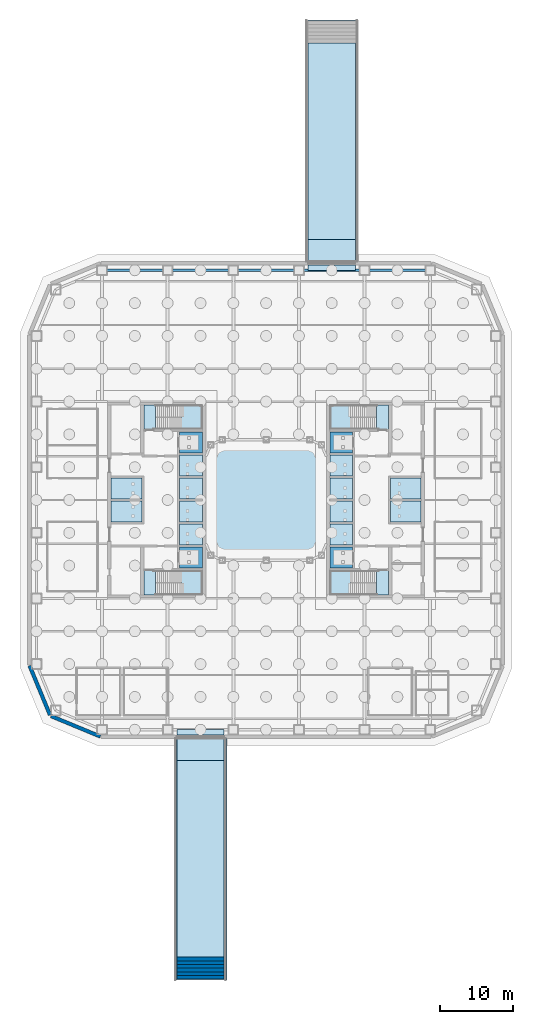
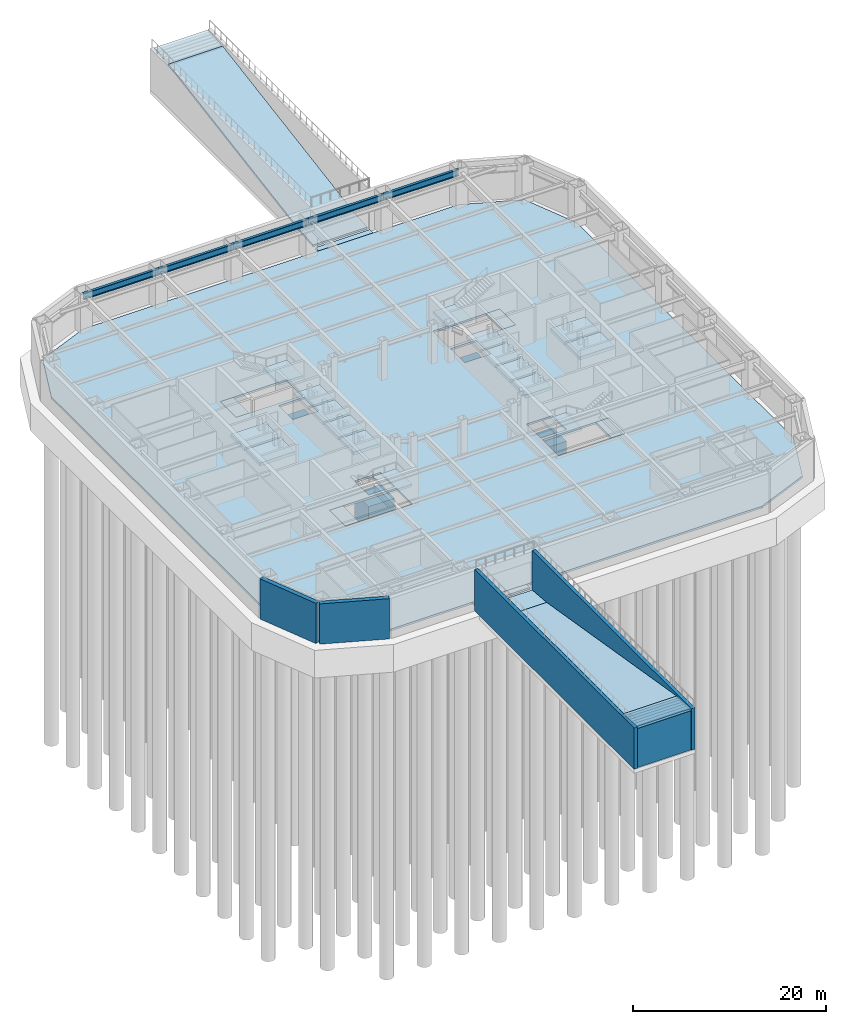
# One storey, part 3 of 10: 33 slabs, 10 walls, 5 beams, 4 elements without a shape of their own.
"""IFC4 building model written with IfcOpenShell, lengths in metres."""

from ifc_helpers import new_model, si_unit, direction, frame, frame_2d, origin, origin_2d, place, context, subcontext, project, spatial, polyline, rectangle, i_section, outline, extrude, material, layer, layer_set, material_profile, profile_set, type_object, element, aggregate, save


model = new_model("IFC4")

# Units and contexts
model_context = context("Model", 3, precision=1e-05, world=origin(), true_north=direction((0.0, 1.0)))
body_context = subcontext(model_context, "Body", "Model", "MODEL_VIEW")
ifc_project = project(units=[si_unit("LENGTHUNIT", "METRE"), si_unit("AREAUNIT", "SQUARE_METRE"), si_unit("VOLUMEUNIT", "CUBIC_METRE"), si_unit("PLANEANGLEUNIT", "RADIAN"), si_unit("MASSUNIT", "GRAM", prefix="KILO")], contexts=[model_context])

# Site, building, storey
site_placement = place(None, origin())
site = spatial("IfcSite", under=ifc_project, at=site_placement, CompositionType="ELEMENT")
building_placement = place(site_placement, origin())
building = spatial("IfcBuilding", under=site, at=building_placement, Name="Siwar Civic Tower", CompositionType="ELEMENT")
storey_placement = place(building_placement, frame((0.0, 0.0, -5.0)))
storey = spatial("IfcBuildingStorey", under=building, at=storey_placement, Name="B1", CompositionType="ELEMENT", Elevation=-5.0)

# Beams
ifc_material_1 = material(Name="Steel S355", Category="steel")
ifc_material_profile = material_profile(ifc_material_1, i_section(OverallWidth=0.302978515625, OverallDepth=0.81396484375, WebThickness=0.02099609375, FlangeThickness=0.0400390625, FilletRadius=0.030029296875, at=origin_2d()), Name="HEM800")
ifc_profile_set = profile_set([ifc_material_profile], Name="Steel S355")
beam_type = type_object("IfcBeamType", Name="STR-SB-HEM800", PredefinedType="BEAM", material=ifc_profile_set)
for number, where, z_axis, x_axis, name in (
    (1, (22.5, 31.5, 4.14306640625), (-1.0, 0.0, 0.0), (0.0, -1.0, 0.0), "B1/bm/SN-0"),
    (2, (13.5, 31.5, 4.14306640625), (-1.0, 0.0, 0.0), (0.0, -1.0, 0.0), "B1/bm/SN-1"),
    (3, (4.5, 31.5, 4.14306640625), (-1.0, 0.0, 0.0), (0.0, -1.0, 0.0), "B1/bm/SN-2"),
    (4, (-4.5, 31.5, 4.14306640625), (-1.0, 0.0, 0.0), (0.0, -1.0, 0.0), "B1/bm/SN-3"),
    (5, (-13.5, 31.5, 4.14306640625), (-1.0, 0.0, 0.0), (0.0, -1.0, 0.0), "B1/bm/SN-4"),
):
    element("IfcBeam", number, at=place(storey_placement, frame(where, z_axis=z_axis, x_axis=x_axis)), inside=storey, type_object=beam_type, Name=name, PredefinedType="BEAM", context=body_context, shape_type="SweptSolid", body=[
        extrude(i_section(OverallWidth=0.302978515625, OverallDepth=0.81396484375, WebThickness=0.02099609375, FlangeThickness=0.0400390625, FilletRadius=0.030029296875, at=origin_2d()), origin(), (0.0, 0.0, 1.0), 9.0),
    ])

# Slabs
ifc_material_2 = material(Name="Concrete C40/50", Category="concrete")
ifc_layer_1 = layer(ifc_material_2, 0.39990234375)
ifc_layer_set_1 = layer_set([ifc_layer_1], Name="Concrete C40/50")
slab_type_1 = type_object("IfcSlabType", Name="CORE-PIT-SLAB", PredefinedType="BASESLAB", material=ifc_layer_set_1)
slab_1_placement = place(storey_placement, frame((0.0, 0.0, 3.10009765625)))
element("IfcSlab", 6, at=slab_1_placement, inside=storey, type_object=slab_type_1, Name="Lift pit floor LR1", PredefinedType="BASESLAB", context=body_context, shape_type="SweptSolid", body=[
    extrude(outline(polyline([(-8.75, -3.27490234375), (-11.85009765625, -3.27490234375), (-11.85009765625, -6.175048828125), (-8.75, -6.175048828125), (-8.75, -3.27490234375)])), origin(), (0.0, 0.0, 1.0), 0.39990234375),
])
slab_2_placement = place(storey_placement, frame((0.0, 0.0, 3.10009765625)))
element("IfcSlab", 7, at=slab_2_placement, inside=storey, type_object=slab_type_1, Name="Lift pit floor LR2", PredefinedType="BASESLAB", context=body_context, shape_type="SweptSolid", body=[
    extrude(outline(polyline([(-8.75, -0.125), (-11.85009765625, -0.125), (-11.85009765625, -3.02490234375), (-8.75, -3.02490234375), (-8.75, -0.125)])), origin(), (0.0, 0.0, 1.0), 0.39990234375),
])
slab_3_placement = place(storey_placement, frame((0.0, 0.0, 3.10009765625)))
element("IfcSlab", 8, at=slab_3_placement, inside=storey, type_object=slab_type_1, Name="Lift pit floor LR3", PredefinedType="BASESLAB", context=body_context, shape_type="SweptSolid", body=[
    extrude(outline(polyline([(-8.75, 3.02490234375), (-11.85009765625, 3.02490234375), (-11.85009765625, 0.125), (-8.75, 0.125), (-8.75, 3.02490234375)])), origin(), (0.0, 0.0, 1.0), 0.39990234375),
])
slab_4_placement = place(storey_placement, frame((0.0, 0.0, 3.10009765625)))
element("IfcSlab", 9, at=slab_4_placement, inside=storey, type_object=slab_type_1, Name="Lift pit floor LR4", PredefinedType="BASESLAB", context=body_context, shape_type="SweptSolid", body=[
    extrude(outline(polyline([(-8.75, 6.175048828125), (-11.85009765625, 6.175048828125), (-11.85009765625, 3.27490234375), (-8.75, 3.27490234375), (-8.75, 6.175048828125)])), origin(), (0.0, 0.0, 1.0), 0.39990234375),
])
slab_5_placement = place(storey_placement, frame((0.0, 0.0, 3.10009765625)))
element("IfcSlab", 10, at=slab_5_placement, inside=storey, type_object=slab_type_1, Name="Lift pit floor SH1", PredefinedType="BASESLAB", context=body_context, shape_type="SweptSolid", body=[
    extrude(outline(polyline([(-17.050048828125, -0.125), (-21.25, -0.125), (-21.25, -3.02490234375), (-17.050048828125, -3.02490234375), (-17.050048828125, -0.125)])), origin(), (0.0, 0.0, 1.0), 0.39990234375),
])
slab_6_placement = place(storey_placement, frame((0.0, 0.0, 3.10009765625)))
element("IfcSlab", 11, at=slab_6_placement, inside=storey, type_object=slab_type_1, Name="Lift pit floor SH2", PredefinedType="BASESLAB", context=body_context, shape_type="SweptSolid", body=[
    extrude(outline(polyline([(-17.050048828125, 3.02490234375), (-21.25, 3.02490234375), (-21.25, 0.125), (-17.050048828125, 0.125), (-17.050048828125, 3.02490234375)])), origin(), (0.0, 0.0, 1.0), 0.39990234375),
])
slab_7_placement = place(storey_placement, frame((0.0, 0.0, 3.10009765625)))
element("IfcSlab", 12, at=slab_7_placement, inside=storey, type_object=slab_type_1, Name="Lift pit floor LR5", PredefinedType="BASESLAB", context=body_context, shape_type="SweptSolid", body=[
    extrude(outline(polyline([(8.75, -6.175048828125), (11.85009765625, -6.175048828125), (11.85009765625, -3.27490234375), (8.75, -3.27490234375), (8.75, -6.175048828125)])), origin(), (0.0, 0.0, 1.0), 0.39990234375),
])
slab_8_placement = place(storey_placement, frame((0.0, 0.0, 3.10009765625)))
element("IfcSlab", 13, at=slab_8_placement, inside=storey, type_object=slab_type_1, Name="Lift pit floor LR6", PredefinedType="BASESLAB", context=body_context, shape_type="SweptSolid", body=[
    extrude(outline(polyline([(8.75, -3.02490234375), (11.85009765625, -3.02490234375), (11.85009765625, -0.125), (8.75, -0.125), (8.75, -3.02490234375)])), origin(), (0.0, 0.0, 1.0), 0.39990234375),
])
slab_9_placement = place(storey_placement, frame((0.0, 0.0, 3.10009765625)))
element("IfcSlab", 14, at=slab_9_placement, inside=storey, type_object=slab_type_1, Name="Lift pit floor LR7", PredefinedType="BASESLAB", context=body_context, shape_type="SweptSolid", body=[
    extrude(outline(polyline([(8.75, 0.125), (11.85009765625, 0.125), (11.85009765625, 3.02490234375), (8.75, 3.02490234375), (8.75, 0.125)])), origin(), (0.0, 0.0, 1.0), 0.39990234375),
])
slab_10_placement = place(storey_placement, frame((0.0, 0.0, 3.10009765625)))
element("IfcSlab", 15, at=slab_10_placement, inside=storey, type_object=slab_type_1, Name="Lift pit floor LR8", PredefinedType="BASESLAB", context=body_context, shape_type="SweptSolid", body=[
    extrude(outline(polyline([(8.75, 3.27490234375), (11.85009765625, 3.27490234375), (11.85009765625, 6.175048828125), (8.75, 6.175048828125), (8.75, 3.27490234375)])), origin(), (0.0, 0.0, 1.0), 0.39990234375),
])
slab_11_placement = place(storey_placement, frame((0.0, 0.0, 3.10009765625)))
element("IfcSlab", 16, at=slab_11_placement, inside=storey, type_object=slab_type_1, Name="Lift pit floor SH3", PredefinedType="BASESLAB", context=body_context, shape_type="SweptSolid", body=[
    extrude(outline(polyline([(17.050048828125, -3.02490234375), (21.25, -3.02490234375), (21.25, -0.125), (17.050048828125, -0.125), (17.050048828125, -3.02490234375)])), origin(), (0.0, 0.0, 1.0), 0.39990234375),
])
slab_12_placement = place(storey_placement, frame((0.0, 0.0, 3.10009765625)))
element("IfcSlab", 17, at=slab_12_placement, inside=storey, type_object=slab_type_1, Name="Lift pit floor SH4", PredefinedType="BASESLAB", context=body_context, shape_type="SweptSolid", body=[
    extrude(outline(polyline([(17.050048828125, 0.125), (21.25, 0.125), (21.25, 3.02490234375), (17.050048828125, 3.02490234375), (17.050048828125, 0.125)])), origin(), (0.0, 0.0, 1.0), 0.39990234375),
])
ifc_material_3 = material(Name="Concrete C40/50", Category="concrete")
ifc_layer_2 = layer(ifc_material_3, 3.25)
ifc_layer_set_2 = layer_set([ifc_layer_2], Name="Concrete C40/50")
slab_type_2 = type_object("IfcSlabType", Name="CORE-PIT-SLAB-DEEP", PredefinedType="BASESLAB", material=ifc_layer_set_2)
slab_13_placement = place(storey_placement, frame((0.0, 0.0, -4.75)))
element("IfcSlab", 18, at=slab_13_placement, inside=storey, type_object=slab_type_2, Name="Lift pit floor FF1", PredefinedType="BASESLAB", context=body_context, shape_type="SweptSolid", body=[
    extrude(outline(polyline([(-8.75, 9.324951171875), (-11.85009765625, 9.324951171875), (-11.85009765625, 6.425048828125), (-8.75, 6.425048828125), (-8.75, 9.324951171875)])), origin(), (0.0, 0.0, 1.0), 3.25),
])
slab_14_placement = place(storey_placement, frame((0.0, 0.0, -4.75)))
element("IfcSlab", 19, at=slab_14_placement, inside=storey, type_object=slab_type_2, Name="Lift pit floor SV1", PredefinedType="BASESLAB", context=body_context, shape_type="SweptSolid", body=[
    extrude(outline(polyline([(-8.75, -6.425048828125), (-11.85009765625, -6.425048828125), (-11.85009765625, -9.324951171875), (-8.75, -9.324951171875), (-8.75, -6.425048828125)])), origin(), (0.0, 0.0, 1.0), 3.25),
])
slab_15_placement = place(storey_placement, frame((0.0, 0.0, -4.75)))
element("IfcSlab", 20, at=slab_15_placement, inside=storey, type_object=slab_type_2, Name="Lift pit floor FF2", PredefinedType="BASESLAB", context=body_context, shape_type="SweptSolid", body=[
    extrude(outline(polyline([(8.75, 6.425048828125), (11.85009765625, 6.425048828125), (11.85009765625, 9.324951171875), (8.75, 9.324951171875), (8.75, 6.425048828125)])), origin(), (0.0, 0.0, 1.0), 3.25),
])
slab_16_placement = place(storey_placement, frame((0.0, 0.0, -4.75)))
element("IfcSlab", 21, at=slab_16_placement, inside=storey, type_object=slab_type_2, Name="Lift pit floor SV2", PredefinedType="BASESLAB", context=body_context, shape_type="SweptSolid", body=[
    extrude(outline(polyline([(8.75, -9.324951171875), (11.85009765625, -9.324951171875), (11.85009765625, -6.425048828125), (8.75, -6.425048828125), (8.75, -9.324951171875)])), origin(), (0.0, 0.0, 1.0), 3.25),
])

# Stair, slabs
ifc_material_4 = material(Name="Concrete C40/50", Category="concrete")
stair_type = type_object("IfcStairType", Name="CORE-STAIR", PredefinedType="TWO_STRAIGHT_RUN_STAIR", material=ifc_material_4)
stair_1_placement = place(storey_placement, origin())
stair_1 = element("IfcStair", 22, at=stair_1_placement, inside=storey, type_object=stair_type, Name="Exit stair ST1", PredefinedType="TWO_STRAIGHT_RUN_STAIR")
ifc_material_5 = material(Name="Concrete C40/50", Category="concrete")
ifc_layer_3 = layer(ifc_material_5, 0.300048828125)
ifc_layer_set_3 = layer_set([ifc_layer_3], Name="Concrete C40/50")
slab_type_3 = type_object("IfcSlabType", Name="CORE-STAIR-LANDING", PredefinedType="LANDING", material=ifc_layer_set_3)
slab_17_placement = place(storey_placement, frame((0.0, 0.0, -0.300048828125)))
slab_17 = element("IfcSlab", 23, at=slab_17_placement, type_object=slab_type_3, Name="ST1 landing 1", PredefinedType="LANDING", context=body_context, shape_type="SweptSolid", body=[
    extrude(outline(polyline([(-15.14990234375, 13.0), (-16.75, 13.0), (-16.75, 9.699951171875), (-15.14990234375, 9.699951171875), (-15.14990234375, 13.0)])), origin(), (0.0, 0.0, 1.0), 0.300048828125),
])
slab_18_placement = place(storey_placement, frame((0.0, 0.0, 2.199951171875)))
slab_18 = element("IfcSlab", 24, at=slab_18_placement, type_object=slab_type_3, Name="ST1 landing 2", PredefinedType="LANDING", context=body_context, shape_type="SweptSolid", body=[
    extrude(outline(polyline([(-8.75, 13.0), (-11.580078125, 13.0), (-11.580078125, 9.699951171875), (-8.75, 9.699951171875), (-8.75, 13.0)])), origin(), (0.0, 0.0, 1.0), 0.300048828125),
])
aggregate(stair_1, [slab_17, slab_18])

stair_2_placement = place(storey_placement, origin())
stair_2 = element("IfcStair", 25, at=stair_2_placement, inside=storey, type_object=stair_type, Name="Exit stair ST2", PredefinedType="TWO_STRAIGHT_RUN_STAIR")
slab_19_placement = place(storey_placement, frame((0.0, 0.0, -0.300048828125)))
slab_19 = element("IfcSlab", 26, at=slab_19_placement, type_object=slab_type_3, Name="ST2 landing 1", PredefinedType="LANDING", context=body_context, shape_type="SweptSolid", body=[
    extrude(outline(polyline([(-15.14990234375, -9.699951171875), (-16.75, -9.699951171875), (-16.75, -13.0), (-15.14990234375, -13.0), (-15.14990234375, -9.699951171875)])), origin(), (0.0, 0.0, 1.0), 0.300048828125),
])
slab_20_placement = place(storey_placement, frame((0.0, 0.0, 2.199951171875)))
slab_20 = element("IfcSlab", 27, at=slab_20_placement, type_object=slab_type_3, Name="ST2 landing 2", PredefinedType="LANDING", context=body_context, shape_type="SweptSolid", body=[
    extrude(outline(polyline([(-8.75, -9.699951171875), (-11.580078125, -9.699951171875), (-11.580078125, -13.0), (-8.75, -13.0), (-8.75, -9.699951171875)])), origin(), (0.0, 0.0, 1.0), 0.300048828125),
])
aggregate(stair_2, [slab_19, slab_20])

stair_3_placement = place(storey_placement, origin())
stair_3 = element("IfcStair", 28, at=stair_3_placement, inside=storey, type_object=stair_type, Name="Exit stair ST3", PredefinedType="TWO_STRAIGHT_RUN_STAIR")
slab_21_placement = place(storey_placement, frame((0.0, 0.0, -0.300048828125)))
slab_21 = element("IfcSlab", 29, at=slab_21_placement, type_object=slab_type_3, Name="ST3 landing 1", PredefinedType="LANDING", context=body_context, shape_type="SweptSolid", body=[
    extrude(outline(polyline([(15.14990234375, 9.699951171875), (16.75, 9.699951171875), (16.75, 13.0), (15.14990234375, 13.0), (15.14990234375, 9.699951171875)])), origin(), (0.0, 0.0, 1.0), 0.300048828125),
])
slab_22_placement = place(storey_placement, frame((0.0, 0.0, 2.199951171875)))
slab_22 = element("IfcSlab", 30, at=slab_22_placement, type_object=slab_type_3, Name="ST3 landing 2", PredefinedType="LANDING", context=body_context, shape_type="SweptSolid", body=[
    extrude(outline(polyline([(8.75, 9.699951171875), (11.580078125, 9.699951171875), (11.580078125, 13.0), (8.75, 13.0), (8.75, 9.699951171875)])), origin(), (0.0, 0.0, 1.0), 0.300048828125),
])
aggregate(stair_3, [slab_21, slab_22])

stair_4_placement = place(storey_placement, origin())
stair_4 = element("IfcStair", 31, at=stair_4_placement, inside=storey, type_object=stair_type, Name="Exit stair ST4", PredefinedType="TWO_STRAIGHT_RUN_STAIR")
slab_23_placement = place(storey_placement, frame((0.0, 0.0, -0.300048828125)))
slab_23 = element("IfcSlab", 32, at=slab_23_placement, type_object=slab_type_3, Name="ST4 landing 1", PredefinedType="LANDING", context=body_context, shape_type="SweptSolid", body=[
    extrude(outline(polyline([(15.14990234375, -13.0), (16.75, -13.0), (16.75, -9.699951171875), (15.14990234375, -9.699951171875), (15.14990234375, -13.0)])), origin(), (0.0, 0.0, 1.0), 0.300048828125),
])
slab_24_placement = place(storey_placement, frame((0.0, 0.0, 2.199951171875)))
slab_24 = element("IfcSlab", 33, at=slab_24_placement, type_object=slab_type_3, Name="ST4 landing 2", PredefinedType="LANDING", context=body_context, shape_type="SweptSolid", body=[
    extrude(outline(polyline([(8.75, -13.0), (11.580078125, -13.0), (11.580078125, -9.699951171875), (8.75, -9.699951171875), (8.75, -13.0)])), origin(), (0.0, 0.0, 1.0), 0.300048828125),
])
aggregate(stair_4, [slab_23, slab_24])

# Slabs
ifc_material_6 = material(Name="Concrete C40/50", Category="concrete")
ifc_layer_4 = layer(ifc_material_6, 0.25)
ifc_layer_set_4 = layer_set([ifc_layer_4], Name="Concrete C40/50")
slab_type_4 = type_object("IfcSlabType", Name="GND-APRON", PredefinedType="FLOOR", material=ifc_layer_set_4)
slab_25_placement = place(storey_placement, frame((0.0, 0.0, -0.25)))
element("IfcSlab", 34, at=slab_25_placement, inside=storey, type_object=slab_type_4, Name="Apron", PredefinedType="FLOOR", context=body_context, shape_type="SweptSolid", body=[
    extrude(outline(polyline([(-12.25, -32.199951171875), (-5.75, -32.199951171875), (-5.75, -31.5), (-12.25, -31.5), (-12.25, -32.199951171875)])), origin(), (0.0, 0.0, 1.0), 0.25),
])
slab_26_placement = place(storey_placement, frame((0.0, 0.0, -0.25)))
element("IfcSlab", 35, at=slab_26_placement, inside=storey, type_object=slab_type_4, Name="Apron", PredefinedType="FLOOR", context=body_context, shape_type="SweptSolid", body=[
    extrude(outline(polyline([(5.75, 31.5), (12.25, 31.5), (12.25, 32.199951171875), (5.75, 32.199951171875), (5.75, 31.5)])), origin(), (0.0, 0.0, 1.0), 0.25),
])
ifc_material_7 = material(Name="Concrete C40/50", Category="concrete")
ifc_layer_5 = layer(ifc_material_7, 0.25)
ifc_layer_set_5 = layer_set([ifc_layer_5], Name="Concrete C40/50")
slab_type_5 = type_object("IfcSlabType", Name="GND-RAMPFLIGHT", PredefinedType="USERDEFINED", material=ifc_layer_set_5)
slab_27_placement = place(storey_placement, frame((-12.25, -65.699951171875, 5.0), z_axis=(0.0, 0.083045479854, 0.996545758245), x_axis=(1.0, 0.0, 0.0)))
element("IfcSlab", 36, at=slab_27_placement, inside=storey, type_object=slab_type_5, Name="Car park ramp R1 flight 1", ObjectType="RAMP SLAB", PredefinedType="USERDEFINED", context=body_context, shape_type="SweptSolid", body=[
    extrude(outline(polyline([(0.0, 0.0), (6.5, 0.0), (6.5, 3.0103986446980735), (0.0, 3.0103986446980735), (0.0, 0.0)])), origin(), (0.0, 0.0, -1.0), 0.25),
])
slab_28_placement = place(storey_placement, frame((-12.25, -62.699951171875, 4.75), z_axis=(0.0, 0.164398987305, 0.986393923832), x_axis=(1.0, 0.0, 0.0)))
element("IfcSlab", 37, at=slab_28_placement, inside=storey, type_object=slab_type_5, Name="Car park ramp R1 flight 2", ObjectType="RAMP SLAB", PredefinedType="USERDEFINED", context=body_context, shape_type="SweptSolid", body=[
    extrude(outline(polyline([(0.0, 0.0), (6.5, 0.0), (6.5, 27.372431386341994), (0.0, 27.372431386341994), (0.0, 0.0)])), origin(), (0.0, 0.0, -1.0), 0.25),
])
slab_29_placement = place(storey_placement, frame((-12.25, -35.699951171875, 0.25), z_axis=(0.0, 0.083045479854, 0.996545758245), x_axis=(1.0, 0.0, 0.0)))
element("IfcSlab", 38, at=slab_29_placement, inside=storey, type_object=slab_type_5, Name="Car park ramp R1 flight 3", ObjectType="RAMP SLAB", PredefinedType="USERDEFINED", context=body_context, shape_type="SweptSolid", body=[
    extrude(outline(polyline([(0.0, 0.0), (6.5, 0.0), (6.5, 3.0103986446980735), (0.0, 3.0103986446980735), (0.0, 0.0)])), origin(), (0.0, 0.0, -1.0), 0.25),
])
slab_30_placement = place(storey_placement, frame((5.75, 65.699951171875, 5.0), z_axis=(0.0, -0.083045479854, 0.996545758245), x_axis=(1.0, 0.0, 0.0)))
element("IfcSlab", 39, at=slab_30_placement, inside=storey, type_object=slab_type_5, Name="Car park ramp R2 flight 1", ObjectType="RAMP SLAB", PredefinedType="USERDEFINED", context=body_context, shape_type="SweptSolid", body=[
    extrude(outline(polyline([(0.0, 0.0), (6.5, 0.0), (6.5, -3.0103986446980735), (0.0, -3.0103986446980735), (0.0, 0.0)])), origin(), (0.0, 0.0, -1.0), 0.25),
])
slab_31_placement = place(storey_placement, frame((5.75, 62.699951171875, 4.75), z_axis=(0.0, -0.164398987305, 0.986393923832), x_axis=(1.0, 0.0, 0.0)))
element("IfcSlab", 40, at=slab_31_placement, inside=storey, type_object=slab_type_5, Name="Car park ramp R2 flight 2", ObjectType="RAMP SLAB", PredefinedType="USERDEFINED", context=body_context, shape_type="SweptSolid", body=[
    extrude(outline(polyline([(0.0, 0.0), (6.5, 0.0), (6.5, -27.372431386341994), (0.0, -27.372431386341994), (0.0, 0.0)])), origin(), (0.0, 0.0, -1.0), 0.25),
])
slab_32_placement = place(storey_placement, frame((5.75, 35.699951171875, 0.25), z_axis=(0.0, -0.083045479854, 0.996545758245), x_axis=(1.0, 0.0, 0.0)))
element("IfcSlab", 41, at=slab_32_placement, inside=storey, type_object=slab_type_5, Name="Car park ramp R2 flight 3", ObjectType="RAMP SLAB", PredefinedType="USERDEFINED", context=body_context, shape_type="SweptSolid", body=[
    extrude(outline(polyline([(0.0, 0.0), (6.5, 0.0), (6.5, -3.0103986446980735), (0.0, -3.0103986446980735), (0.0, 0.0)])), origin(), (0.0, 0.0, -1.0), 0.25),
])
ifc_material_8 = material(Name="Concrete C40/50", Category="concrete")
ifc_layer_6 = layer(ifc_material_8, 0.25)
ifc_layer_set_6 = layer_set([ifc_layer_6], Name="Concrete C40/50")
slab_type_6 = type_object("IfcSlabType", Name="STR-SLAB-ON-GROUND-250", PredefinedType="BASESLAB", material=ifc_layer_set_6)
slab_33_placement = place(storey_placement, frame((0.0, 0.0, -0.25)))
element("IfcSlab", 42, at=slab_33_placement, inside=storey, type_object=slab_type_6, Name="B1/slab/1", PredefinedType="BASESLAB", context=body_context, shape_type="SweptSolid", body=[
    extrude(outline(polyline([(-22.5, -31.5), (22.5, -31.5), (28.864013671875, -28.864013671875), (31.5, -22.5), (31.5, 22.5), (28.864013671875, 28.864013671875), (22.5, 31.5), (-22.5, 31.5), (-28.864013671875, 28.864013671875), (-31.5, 22.5), (-31.5, -22.5), (-28.864013671875, -28.864013671875), (-22.5, -31.5)]), holes=[polyline([(8.75, -13.0), (8.75, -9.699951171875), (16.75, -9.699951171875), (16.75, -13.0), (8.75, -13.0)]), polyline([(8.75, 9.699951171875), (8.75, 13.0), (16.75, 13.0), (16.75, 9.699951171875), (8.75, 9.699951171875)]), polyline([(8.75, -9.324951171875), (8.75, -6.425048828125), (11.85009765625, -6.425048828125), (11.85009765625, -9.324951171875), (8.75, -9.324951171875)]), polyline([(8.75, 6.425048828125), (8.75, 9.324951171875), (11.85009765625, 9.324951171875), (11.85009765625, 6.425048828125), (8.75, 6.425048828125)]), polyline([(-8.75, -9.699951171875), (-8.75, -13.0), (-16.75, -13.0), (-16.75, -9.699951171875), (-8.75, -9.699951171875)]), polyline([(-8.75, -6.425048828125), (-8.75, -9.324951171875), (-11.85009765625, -9.324951171875), (-11.85009765625, -6.425048828125), (-8.75, -6.425048828125)]), polyline([(-8.75, 9.324951171875), (-8.75, 6.425048828125), (-11.85009765625, 6.425048828125), (-11.85009765625, 9.324951171875), (-8.75, 9.324951171875)]), polyline([(-8.75, 13.0), (-8.75, 9.699951171875), (-16.75, 9.699951171875), (-16.75, 13.0), (-8.75, 13.0)])]), origin(), (0.0, 0.0, 1.0), 0.25),
])

# Walls
ifc_material_9 = material(Name="Concrete C40/50", Category="concrete")
ifc_layer_7 = layer(ifc_material_9, 0.5)
ifc_layer_set_7 = layer_set([ifc_layer_7], Name="Concrete C40/50")
wall_type_1 = type_object("IfcWallType", Name="GND-RAMPPIER", PredefinedType="SOLIDWALL", material=ifc_layer_set_7)
wall_1_placement = place(storey_placement, frame((-12.25, -65.449951171875, -0.25), z_axis=(0.0, 0.0, 1.0), x_axis=(1.0, 0.0, 0.0)))
element("IfcWall", 43, at=wall_1_placement, inside=storey, type_object=wall_type_1, Name="B1/wall/pier-R1-1", PredefinedType="SOLIDWALL", context=body_context, shape_type="SweptSolid", body=[
    extrude(rectangle(XDim=6.5, YDim=0.5, at=frame_2d((3.25, 0.0))), origin(), (0.0, 0.0, 1.0), 4.958251953125),
])
wall_2_placement = place(storey_placement, frame((-12.25, -64.949951171875, -0.25), z_axis=(0.0, 0.0, 1.0), x_axis=(1.0, 0.0, 0.0)))
element("IfcWall", 44, at=wall_2_placement, inside=storey, type_object=wall_type_1, Name="B1/wall/pier-R1-2", PredefinedType="SOLIDWALL", context=body_context, shape_type="SweptSolid", body=[
    extrude(rectangle(XDim=6.5, YDim=0.5, at=frame_2d((3.25, 0.0))), origin(), (0.0, 0.0, 1.0), 4.916748046875),
])
wall_3_placement = place(storey_placement, frame((-12.25, -64.449951171875, -0.25), z_axis=(0.0, 0.0, 1.0), x_axis=(1.0, 0.0, 0.0)))
element("IfcWall", 45, at=wall_3_placement, inside=storey, type_object=wall_type_1, Name="B1/wall/pier-R1-3", PredefinedType="SOLIDWALL", context=body_context, shape_type="SweptSolid", body=[
    extrude(rectangle(XDim=6.5, YDim=0.5, at=frame_2d((3.25, 0.0))), origin(), (0.0, 0.0, 1.0), 4.875),
])
wall_4_placement = place(storey_placement, frame((-12.25, -63.949951171875, -0.25), z_axis=(0.0, 0.0, 1.0), x_axis=(1.0, 0.0, 0.0)))
element("IfcWall", 46, at=wall_4_placement, inside=storey, type_object=wall_type_1, Name="B1/wall/pier-R1-4", PredefinedType="SOLIDWALL", context=body_context, shape_type="SweptSolid", body=[
    extrude(rectangle(XDim=6.5, YDim=0.5, at=frame_2d((3.25, 0.0))), origin(), (0.0, 0.0, 1.0), 4.833251953125),
])
wall_5_placement = place(storey_placement, frame((-12.25, -63.449951171875, -0.25), z_axis=(0.0, 0.0, 1.0), x_axis=(1.0, 0.0, 0.0)))
element("IfcWall", 47, at=wall_5_placement, inside=storey, type_object=wall_type_1, Name="B1/wall/pier-R1-5", PredefinedType="SOLIDWALL", context=body_context, shape_type="SweptSolid", body=[
    extrude(rectangle(XDim=6.5, YDim=0.5, at=frame_2d((3.25, 0.0))), origin(), (0.0, 0.0, 1.0), 4.791748046875),
])
wall_6_placement = place(storey_placement, frame((-12.25, -62.949951171875, -0.25), z_axis=(0.0, 0.0, 1.0), x_axis=(1.0, 0.0, 0.0)))
element("IfcWall", 48, at=wall_6_placement, inside=storey, type_object=wall_type_1, Name="B1/wall/pier-R1-6", PredefinedType="SOLIDWALL", context=body_context, shape_type="SweptSolid", body=[
    extrude(rectangle(XDim=6.5, YDim=0.5, at=frame_2d((3.25, 0.0))), origin(), (0.0, 0.0, 1.0), 4.75),
])
ifc_material_10 = material(Name="Concrete C40/50", Category="concrete")
ifc_layer_8 = layer(ifc_material_10, 0.5)
ifc_layer_set_8 = layer_set([ifc_layer_8], Name="Concrete C40/50")
wall_type_2 = type_object("IfcWallType", Name="GND-RETWALL", PredefinedType="SOLIDWALL", material=ifc_layer_set_8)
for number, where, z_axis, x_axis, name in (
    (49, (-32.430908203125, -22.73486328125, -0.25), (0.0, 0.0, 1.0), (0.382683781057, -0.923879388078, 0.0), "B1/wall/ret-11"),
    (50, (-29.495361328125, -29.630615234375, -0.25), (0.0, 0.0, 1.0), (0.923879388078, -0.382683781057, 0.0), "B1/wall/ret-12"),
):
    element("IfcWall", number, at=place(storey_placement, frame(where, z_axis=z_axis, x_axis=x_axis)), inside=storey, type_object=wall_type_2, Name=name, PredefinedType="SOLIDWALL", context=body_context, shape_type="SweptSolid", body=[
        extrude(rectangle(XDim=7.317626953125, YDim=0.5, at=frame_2d((3.65869140625, 0.0))), origin(), (0.0, 0.0, 1.0), 5.10009765625),
    ])
ifc_material_11 = material(Name="Concrete C40/50", Category="concrete")
ifc_layer_9 = layer(ifc_material_11, 0.39990234375)
ifc_layer_set_9 = layer_set([ifc_layer_9], Name="Concrete C40/50")
wall_type_3 = type_object("IfcWallType", Name="GND-TRENCHWALL", PredefinedType="SOLIDWALL", material=ifc_layer_set_9)
for number, where, z_axis, x_axis, name in (
    (51, (-12.449951171875, -65.800048828125, -0.25), (0.0, 0.0, 1.0), (0.0, 1.0, 0.0), "B1/wall/trench-R1-1"),
    (52, (-5.550048828125, -65.800048828125, -0.25), (0.0, 0.0, 1.0), (0.0, 1.0, 0.0), "B1/wall/trench-R1-2"),
):
    element("IfcWall", number, at=place(storey_placement, frame(where, z_axis=z_axis, x_axis=x_axis)), inside=storey, type_object=wall_type_3, Name=name, PredefinedType="SOLIDWALL", context=body_context, shape_type="SweptSolid", body=[
        extrude(rectangle(XDim=33.10009765625, YDim=0.39990234375, at=frame_2d((16.550048828125, 0.0))), origin(), (0.0, 0.0, 1.0), 5.25),
    ])

save(model, "model.ifc")
